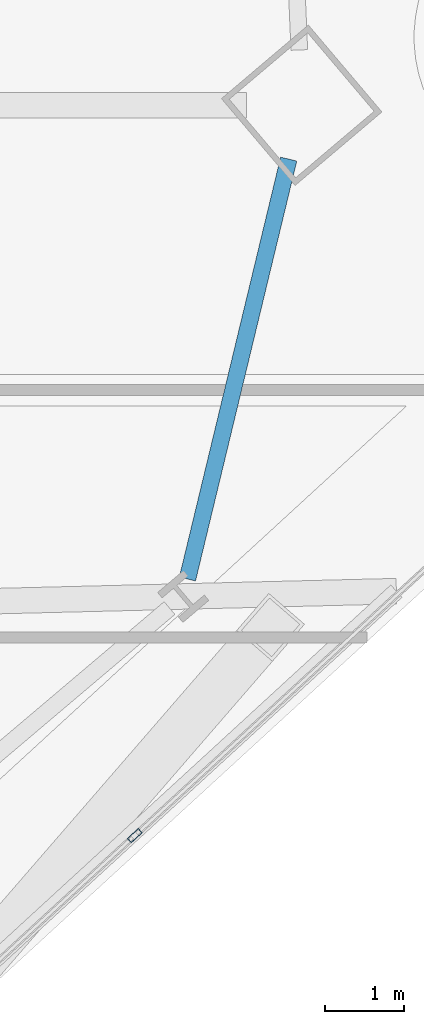
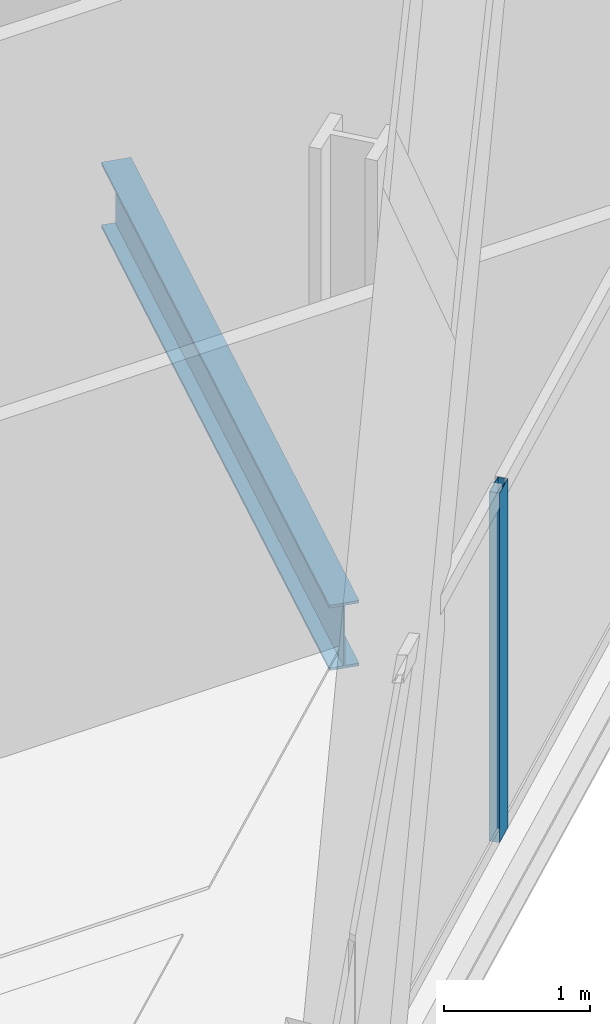
# One storey, part 10 of 32: 1 beam, 1 member, 1 element without a shape of its own.
"""IFC4 building model written with IfcOpenShell, lengths in metres."""

from ifc_helpers import new_model, si_unit, direction, frame, origin, origin_2d, place, context, subcontext, project, spatial, hollow_rectangle, i_section, extrude, material, material_profile, profile_set, type_object, element, aggregate, save


model = new_model("IFC4")

# Units and contexts
model_context = context("Model", 3, precision=1e-05, world=origin(), true_north=direction((0.0, 1.0)))
body_context = subcontext(model_context, "Body", "Model", "MODEL_VIEW")
ifc_project = project(units=[si_unit("LENGTHUNIT", "METRE"), si_unit("AREAUNIT", "SQUARE_METRE"), si_unit("VOLUMEUNIT", "CUBIC_METRE"), si_unit("PLANEANGLEUNIT", "RADIAN"), si_unit("MASSUNIT", "GRAM", prefix="KILO")], contexts=[model_context])

# Site, building, storey
site_placement = place(None, origin())
site = spatial("IfcSite", under=ifc_project, at=site_placement, CompositionType="ELEMENT")
building_placement = place(site_placement, origin())
building = spatial("IfcBuilding", under=site, at=building_placement, Name="Haldenkirk Collegiate Tower", CompositionType="ELEMENT")
storey_placement = place(building_placement, frame((0.0, 0.0, 170.699951171875)))
storey = spatial("IfcBuildingStorey", under=building, at=storey_placement, Name="L42", CompositionType="ELEMENT", Elevation=170.699951171875)

# Beam
ifc_material_1 = material(Name="Steel ASTM A992 Grade 50", Category="steel")
ifc_material_profile_1 = material_profile(ifc_material_1, i_section(OverallWidth=0.2119140625, OverallDepth=0.5439453125, WebThickness=0.01318359375, FlangeThickness=0.021240234375, at=origin_2d()), Name="W21X83")
ifc_profile_set_1 = profile_set([ifc_material_profile_1], Name="Steel ASTM A992 Grade 50")
beam_type = type_object("IfcBeamType", Name="BM-SPANDREL-W21X83", PredefinedType="SPANDREL", material=ifc_profile_set_1)
beam_placement = place(storey_placement, frame((60.010009765625, 18.595458984375, -0.56201171875), z_axis=(0.23444531808, 0.972129308698, 0.0), x_axis=(-0.972129308698, 0.23444531808, 0.0)))
element("IfcBeam", 1, at=beam_placement, inside=storey, type_object=beam_type, Name="L42 perimeter spandrel beam 04", PredefinedType="SPANDREL", context=body_context, shape_type="SweptSolid", body=[
    extrude(i_section(OverallWidth=0.2119140625, OverallDepth=0.5439453125, WebThickness=0.01318359375, FlangeThickness=0.021240234375, at=origin_2d()), origin(), (0.0, 0.0, 1.0), 5.50146484375),
])

# Curtain wall, member
ifc_material_2 = material(Name="Anodised architectural bronze aluminium", Category="aluminium")
curtain_wall_type = type_object("IfcCurtainWallType", Name="CW-SYS2-CONCAVE", PredefinedType="USERDEFINED", material=ifc_material_2)
curtain_wall_placement = place(storey_placement, origin())
curtain_wall = element("IfcCurtainWall", 2, at=curtain_wall_placement, inside=storey, type_object=curtain_wall_type, Name="L42 South concave recessed bronze-anodised curtain wall", ObjectType="UNITISED CURTAIN WALL", PredefinedType="USERDEFINED")
ifc_material_profile_2 = material_profile(ifc_material_2, hollow_rectangle(XDim=0.074951171875, YDim=0.18994140625, WallThickness=0.0048828125, at=origin_2d()), Name="CW-MUL-02")
ifc_profile_set_2 = profile_set([ifc_material_profile_2], Name="Anodised architectural bronze aluminium")
member_type = type_object("IfcMemberType", Name="CW-MUL-02", PredefinedType="MULLION", material=ifc_profile_set_2)
member_placement = place(storey_placement, frame((59.338134765625, 15.326416015625, 0.0), z_axis=(0.0, 0.0, 1.0), x_axis=(0.676232341046, -0.736688415087, 0.0)))
member = element("IfcMember", 3, at=member_placement, type_object=member_type, Name="CW-02 mullion 2", PredefinedType="MULLION", context=body_context, shape_type="SweptSolid", body=[
    extrude(hollow_rectangle(XDim=0.074951171875, YDim=0.18994140625, WallThickness=0.0048828125, at=origin_2d()), origin(), (0.0, 0.0, 1.0), 2.9111328125),
])
aggregate(curtain_wall, [member])

save(model, "model.ifc")
